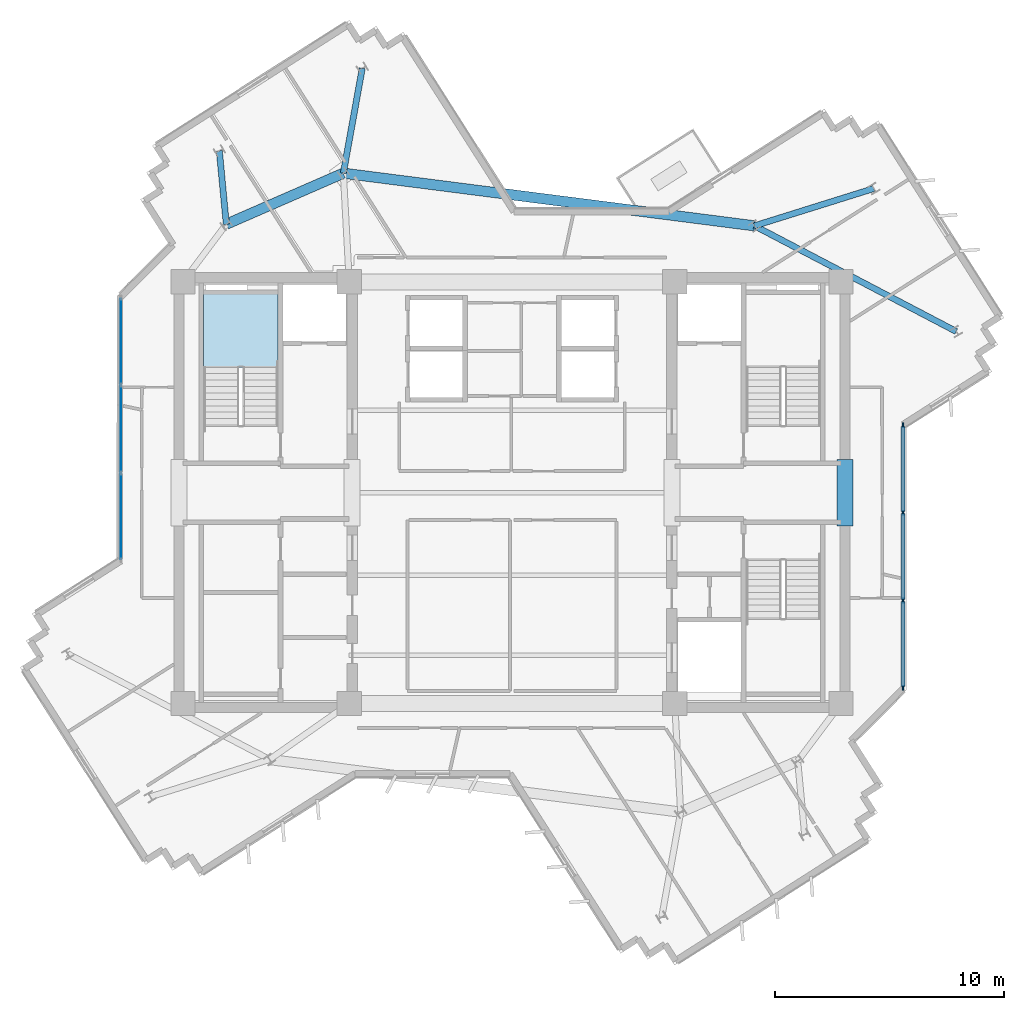
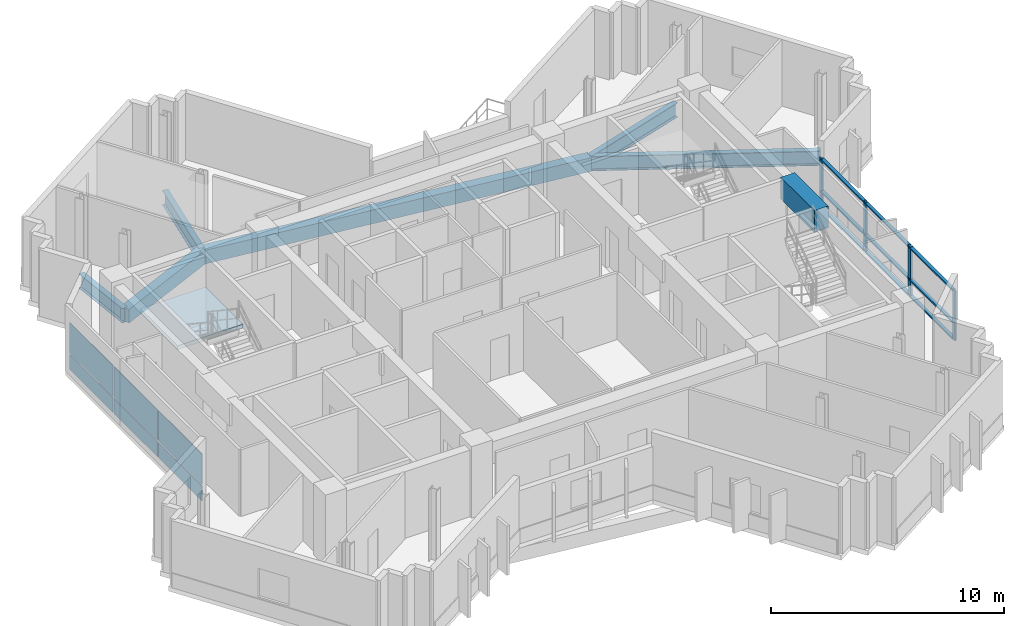
# One storey, part 3 of 12: 13 members, 7 beams, 6 plates, 1 slab, 3 elements without a shape of their own.
"""IFC4 building model written with IfcOpenShell, lengths in metres."""

from ifc_helpers import new_model, si_unit, direction, frame, origin, origin_2d, place, context, subcontext, project, spatial, polyline, rectangle, i_section, outline, extrude, source, transform, mapped, material, layer, layer_set, material_profile, profile_set, type_object, element, aggregate, save


model = new_model("IFC4")

# Units and contexts
model_context = context("Model", 3, precision=1e-05, world=origin(), true_north=direction((0.0, 1.0)))
body_context = subcontext(model_context, "Body", "Model", "MODEL_VIEW")
ifc_project = project(units=[si_unit("LENGTHUNIT", "METRE"), si_unit("AREAUNIT", "SQUARE_METRE"), si_unit("VOLUMEUNIT", "CUBIC_METRE"), si_unit("PLANEANGLEUNIT", "RADIAN"), si_unit("MASSUNIT", "GRAM", prefix="KILO")], contexts=[model_context])

# Site, building, storey
site_placement = place(None, origin())
site = spatial("IfcSite", under=ifc_project, at=site_placement, CompositionType="ELEMENT")
building_placement = place(site_placement, origin())
building = spatial("IfcBuilding", under=site, at=building_placement, Name="Zahravan Cultural Tower", CompositionType="ELEMENT")
storey_placement = place(building_placement, frame((0.0, 0.0, 265.35009765625)))
storey = spatial("IfcBuildingStorey", under=building, at=storey_placement, Name="L63", CompositionType="ELEMENT", Elevation=265.35009765625)

# Beams
ifc_material_1 = material(Name="Concrete C50/60", Category="concrete")
ifc_material_profile_1 = material_profile(ifc_material_1, rectangle(XDim=0.699951171875, YDim=1.14990234375, at=origin_2d()), Name="RC700X1150")
ifc_profile_set_1 = profile_set([ifc_material_profile_1], Name="Concrete C50/60")
beam_type_1 = type_object("IfcBeamType", Name="BM-LN-RC700X1150", PredefinedType="LINTEL", material=ifc_profile_set_1)
shared_shape_1 = source(origin(), body_context, "Body", "SweptSolid", [
    extrude(rectangle(XDim=0.699951171875, YDim=1.14990234375, at=origin_2d()), origin(), (0.0, 0.0, 1.0), 2.89990234375),
])
beam_1_placement = place(storey_placement, frame((50.52490234375, 25.550048828125, 2.9248046875), z_axis=(0.0, 1.0, 0.0), x_axis=(-1.0, 0.0, 0.0)))
element("IfcBeam", 1, at=beam_1_placement, inside=storey, type_object=beam_type_1, Name="L63 Beam LN-L63-PEE", PredefinedType="LINTEL", context=body_context, shape_type="MappedRepresentation", body=[
    mapped(shared_shape_1, transform((0.0, 0.0, 0.0), x_axis=(1.0, 0.0, 0.0), y_axis=(0.0, 1.0, 0.0), z_axis=(0.0, 0.0, 1.0), scale=1.0)),
])
ifc_material_2 = material(Name="Steel ASTM A992 Grade 50", Category="steel")
ifc_material_profile_2 = material_profile(ifc_material_2, i_section(OverallWidth=0.26708984375, OverallDepth=0.761962890625, WebThickness=0.014404296875, FlangeThickness=0.021484375, FilletRadius=0.01904296875, at=origin_2d()), Name="W30X116")
ifc_profile_set_2 = profile_set([ifc_material_profile_2], Name="Steel ASTM A992 Grade 50")
beam_type_2 = type_object("IfcBeamType", Name="BM-G-W30X116", PredefinedType="BEAM", material=ifc_profile_set_2)
shared_shape_2 = source(origin(), body_context, "Body", "SweptSolid", [
    extrude(i_section(OverallWidth=0.26708984375, OverallDepth=0.761962890625, WebThickness=0.014404296875, FlangeThickness=0.021484375, FilletRadius=0.01904296875, at=origin_2d()), origin(), (0.0, 0.0, 1.0), 9.935791015625),
])
beam_2_placement = place(storey_placement, frame((46.577880859375, 38.640625, -0.631103515625), z_axis=(0.885932031042, -0.463815088558, 0.0), x_axis=(0.463815088558, 0.885932031042, 0.0)))
element("IfcBeam", 2, at=beam_2_placement, inside=storey, type_object=beam_type_2, Name="L63 Beam BG-L63-12", PredefinedType="BEAM", context=body_context, shape_type="MappedRepresentation", body=[
    mapped(shared_shape_2, transform((0.0, 0.0, 0.0), x_axis=(1.0, 0.0, 0.0), y_axis=(0.0, 1.0, 0.0), z_axis=(0.0, 0.0, 1.0), scale=1.0)),
])
shared_shape_3 = source(origin(), body_context, "Body", "SweptSolid", [
    extrude(i_section(OverallWidth=0.26708984375, OverallDepth=0.761962890625, WebThickness=0.014404296875, FlangeThickness=0.021484375, FilletRadius=0.01904296875, at=origin_2d()), origin(), (0.0, 0.0, 1.0), 5.450927734375),
])
beam_3_placement = place(storey_placement, frame((46.577880859375, 38.640625, -0.631103515625), z_axis=(0.954416996605, 0.298476459025, 0.0), x_axis=(-0.298476459025, 0.954416996605, 0.0)))
element("IfcBeam", 3, at=beam_3_placement, inside=storey, type_object=beam_type_2, Name="L63 Beam BG-L63-13", PredefinedType="BEAM", context=body_context, shape_type="MappedRepresentation", body=[
    mapped(shared_shape_3, transform((0.0, 0.0, 0.0), x_axis=(1.0, 0.0, 0.0), y_axis=(0.0, 1.0, 0.0), z_axis=(0.0, 0.0, 1.0), scale=1.0)),
])
shared_shape_4 = source(origin(), body_context, "Body", "SweptSolid", [
    extrude(i_section(OverallWidth=0.26708984375, OverallDepth=0.761962890625, WebThickness=0.014404296875, FlangeThickness=0.021484375, FilletRadius=0.01904296875, at=origin_2d()), origin(), (0.0, 0.0, 1.0), 4.65087890625),
])
beam_4_placement = place(storey_placement, frame((28.642578125, 40.937255859375, -0.631103515625), z_axis=(0.177425522697, 0.984134230629, 0.0), x_axis=(-0.984134230629, 0.177425522697, 0.0)))
element("IfcBeam", 4, at=beam_4_placement, inside=storey, type_object=beam_type_2, Name="L63 Beam BG-L63-14", PredefinedType="BEAM", context=body_context, shape_type="MappedRepresentation", body=[
    mapped(shared_shape_4, transform((0.0, 0.0, 0.0), x_axis=(1.0, 0.0, 0.0), y_axis=(0.0, 1.0, 0.0), z_axis=(0.0, 0.0, 1.0), scale=1.0)),
])
shared_shape_5 = source(origin(), body_context, "Body", "SweptSolid", [
    extrude(i_section(OverallWidth=0.26708984375, OverallDepth=0.761962890625, WebThickness=0.014404296875, FlangeThickness=0.021484375, FilletRadius=0.01904296875, at=origin_2d()), origin(), (0.0, 0.0, 1.0), 3.218017578125),
])
beam_5_placement = place(storey_placement, frame((23.536376953125, 38.710693359375, -0.631103515625), z_axis=(-0.094454641962, 0.995529166128, 0.0), x_axis=(-0.995529166128, -0.094454641962, 0.0)))
element("IfcBeam", 5, at=beam_5_placement, inside=storey, type_object=beam_type_2, Name="L63 Beam BG-L63-15", PredefinedType="BEAM", context=body_context, shape_type="MappedRepresentation", body=[
    mapped(shared_shape_5, transform((0.0, 0.0, 0.0), x_axis=(1.0, 0.0, 0.0), y_axis=(0.0, 1.0, 0.0), z_axis=(0.0, 0.0, 1.0), scale=1.0)),
])
ifc_material_3 = material(Name="Concrete C45/55", Category="concrete")
ifc_material_profile_3 = material_profile(ifc_material_3, rectangle(XDim=0.449951171875, YDim=0.719970703125, at=origin_2d()), Name="RC450X720")
ifc_profile_set_3 = profile_set([ifc_material_profile_3], Name="Concrete C45/55")
beam_type_3 = type_object("IfcBeamType", Name="BM-SP-RC450X720", PredefinedType="SPANDREL", material=ifc_profile_set_3)
shared_shape_6 = source(origin(), body_context, "Body", "SweptSolid", [
    extrude(rectangle(XDim=0.449951171875, YDim=0.719970703125, at=origin_2d()), origin(), (0.0, 0.0, 1.0), 18.081787109375),
])
beam_6_placement = place(storey_placement, frame((46.577880859375, 38.640625, -0.610107421875), z_axis=(-0.991900954377, 0.127013765812, 0.0), x_axis=(-0.127013765812, -0.991900954377, 0.0)))
element("IfcBeam", 6, at=beam_6_placement, inside=storey, type_object=beam_type_3, Name="L63 Beam SP-L63-22", PredefinedType="SPANDREL", context=body_context, shape_type="MappedRepresentation", body=[
    mapped(shared_shape_6, transform((0.0, 0.0, 0.0), x_axis=(1.0, 0.0, 0.0), y_axis=(0.0, 1.0, 0.0), z_axis=(0.0, 0.0, 1.0), scale=1.0)),
])
shared_shape_7 = source(origin(), body_context, "Body", "SweptSolid", [
    extrude(rectangle(XDim=0.449951171875, YDim=0.719970703125, at=origin_2d()), origin(), (0.0, 0.0, 1.0), 5.570556640625),
])
beam_7_placement = place(storey_placement, frame((28.642578125, 40.937255859375, -0.610107421875), z_axis=(-0.9166445026, -0.399703459896, 0.0), x_axis=(0.399703459896, -0.9166445026, 0.0)))
element("IfcBeam", 7, at=beam_7_placement, inside=storey, type_object=beam_type_3, Name="L63 Beam SP-L63-23", PredefinedType="SPANDREL", context=body_context, shape_type="MappedRepresentation", body=[
    mapped(shared_shape_7, transform((0.0, 0.0, 0.0), x_axis=(1.0, 0.0, 0.0), y_axis=(0.0, 1.0, 0.0), z_axis=(0.0, 0.0, 1.0), scale=1.0)),
])

# Curtain wall, members
ifc_material_4 = material(Name="Anodised bronze-aluminium mullion", Category="aluminium")
ifc_layer_1 = layer(ifc_material_4, 0.219970703125)
ifc_layer_set_1 = layer_set([ifc_layer_1], Name="Anodised bronze-aluminium mullion")
curtain_wall_type_1 = type_object("IfcCurtainWallType", Name="CW-SYS-1", PredefinedType="USERDEFINED", material=ifc_layer_set_1)
curtain_wall_1_placement = place(storey_placement, origin())
curtain_wall_1 = element("IfcCurtainWall", 8, at=curtain_wall_1_placement, inside=storey, type_object=curtain_wall_type_1, Name="L63 Recessed Curtain Wall CW-1.1", ObjectType="RECESSED GLAZING", PredefinedType="USERDEFINED")
ifc_material_profile_4 = material_profile(ifc_material_4, rectangle(XDim=0.080078125, YDim=0.219970703125, at=origin_2d()), Name="AL-M80X220")
ifc_profile_set_4 = profile_set([ifc_material_profile_4], Name="Anodised bronze-aluminium mullion")
member_type_1 = type_object("IfcMemberType", Name="CWM-CW-1", PredefinedType="MULLION", material=ifc_profile_set_4)
shared_shape_8 = source(origin(), body_context, "Body", "SweptSolid", [
    extrude(rectangle(XDim=0.080078125, YDim=0.219970703125, at=origin_2d()), origin(), (0.0, 0.0, 1.0), 2.619873046875),
])
member_1_placement = place(storey_placement, frame((53.06005859375, 29.931640625, 0.0), z_axis=(0.0, 0.0, 1.0), x_axis=(1.0, 0.0, 0.0)))
member_1 = element("IfcMember", 9, at=member_1_placement, type_object=member_type_1, Name="CW-1 mullion 1", PredefinedType="MULLION", context=body_context, shape_type="MappedRepresentation", body=[
    mapped(shared_shape_8, transform((0.0, 0.0, 0.0), x_axis=(1.0, 0.0, 0.0), y_axis=(0.0, 1.0, 0.0), z_axis=(0.0, 0.0, 1.0), scale=1.0)),
])
member_2_placement = place(storey_placement, frame((53.06005859375, 26.1337890625, 0.0), z_axis=(0.0, 0.0, 1.0), x_axis=(1.0, 0.0, 0.0)))
member_2 = element("IfcMember", 10, at=member_2_placement, type_object=member_type_1, Name="CW-1 mullion 2", PredefinedType="MULLION", context=body_context, shape_type="MappedRepresentation", body=[
    mapped(shared_shape_8, transform((0.0, 0.0, 0.0), x_axis=(1.0, 0.0, 0.0), y_axis=(0.0, 1.0, 0.0), z_axis=(0.0, 0.0, 1.0), scale=1.0)),
])
member_3_placement = place(storey_placement, frame((53.06005859375, 22.2958984375, 0.0), z_axis=(0.0, 0.0, 1.0), x_axis=(1.0, 0.0, 0.0)))
member_3 = element("IfcMember", 11, at=member_3_placement, type_object=member_type_1, Name="CW-1 mullion 3", PredefinedType="MULLION", context=body_context, shape_type="MappedRepresentation", body=[
    mapped(shared_shape_8, transform((0.0, 0.0, 0.0), x_axis=(1.0, 0.0, 0.0), y_axis=(0.0, 1.0, 0.0), z_axis=(0.0, 0.0, 1.0), scale=1.0)),
])
member_4_placement = place(storey_placement, frame((53.06005859375, 18.498046875, 0.0), z_axis=(0.0, 0.0, 1.0), x_axis=(1.0, 0.0, 0.0)))
member_4 = element("IfcMember", 12, at=member_4_placement, type_object=member_type_1, Name="CW-1 mullion 4", PredefinedType="MULLION", context=body_context, shape_type="MappedRepresentation", body=[
    mapped(shared_shape_8, transform((0.0, 0.0, 0.0), x_axis=(1.0, 0.0, 0.0), y_axis=(0.0, 1.0, 0.0), z_axis=(0.0, 0.0, 1.0), scale=1.0)),
])
ifc_material_profile_5 = material_profile(ifc_material_4, rectangle(XDim=0.159912109375, YDim=0.080078125, at=origin_2d()), Name="AL-T80X160")
ifc_profile_set_5 = profile_set([ifc_material_profile_5], Name="Anodised bronze-aluminium mullion")
member_type_2 = type_object("IfcMemberType", Name="CWT-CW-1", PredefinedType="USERDEFINED", material=ifc_profile_set_5)
shared_shape_9 = source(origin(), body_context, "Body", "SweptSolid", [
    extrude(rectangle(XDim=0.159912109375, YDim=0.080078125, at=origin_2d()), origin(), (0.0, 0.0, 1.0), 3.7177734375),
])
member_5_placement = place(storey_placement, frame((53.06005859375, 29.8916015625, 0.039794921875), z_axis=(0.0, -1.0, 0.0), x_axis=(1.0, 0.0, 0.0)))
member_5 = element("IfcMember", 13, at=member_5_placement, type_object=member_type_2, Name="CW-1 transom 1.1", ObjectType="TRANSOM", PredefinedType="USERDEFINED", context=body_context, shape_type="MappedRepresentation", body=[
    mapped(shared_shape_9, transform((0.0, 0.0, 0.0), x_axis=(1.0, 0.0, 0.0), y_axis=(0.0, 1.0, 0.0), z_axis=(0.0, 0.0, 1.0), scale=1.0)),
])
member_6_placement = place(storey_placement, frame((53.06005859375, 29.8916015625, 0.89990234375), z_axis=(0.0, -1.0, 0.0), x_axis=(1.0, 0.0, 0.0)))
member_6 = element("IfcMember", 14, at=member_6_placement, type_object=member_type_2, Name="CW-1 transom 1.2", ObjectType="TRANSOM", PredefinedType="USERDEFINED", context=body_context, shape_type="MappedRepresentation", body=[
    mapped(shared_shape_9, transform((0.0, 0.0, 0.0), x_axis=(1.0, 0.0, 0.0), y_axis=(0.0, 1.0, 0.0), z_axis=(0.0, 0.0, 1.0), scale=1.0)),
])
member_7_placement = place(storey_placement, frame((53.06005859375, 29.8916015625, 2.579833984375), z_axis=(0.0, -1.0, 0.0), x_axis=(1.0, 0.0, 0.0)))
member_7 = element("IfcMember", 15, at=member_7_placement, type_object=member_type_2, Name="CW-1 transom 1.3", ObjectType="TRANSOM", PredefinedType="USERDEFINED", context=body_context, shape_type="MappedRepresentation", body=[
    mapped(shared_shape_9, transform((0.0, 0.0, 0.0), x_axis=(1.0, 0.0, 0.0), y_axis=(0.0, 1.0, 0.0), z_axis=(0.0, 0.0, 1.0), scale=1.0)),
])
member_8_placement = place(storey_placement, frame((53.06005859375, 22.255859375, 0.039794921875), z_axis=(0.0, -1.0, 0.0), x_axis=(1.0, 0.0, 0.0)))
member_8 = element("IfcMember", 16, at=member_8_placement, type_object=member_type_2, Name="CW-1 transom 3.1", ObjectType="TRANSOM", PredefinedType="USERDEFINED", context=body_context, shape_type="MappedRepresentation", body=[
    mapped(shared_shape_9, transform((0.0, 0.0, 0.0), x_axis=(1.0, 0.0, 0.0), y_axis=(0.0, 1.0, 0.0), z_axis=(0.0, 0.0, 1.0), scale=1.0)),
])
member_9_placement = place(storey_placement, frame((53.06005859375, 22.255859375, 0.89990234375), z_axis=(0.0, -1.0, 0.0), x_axis=(1.0, 0.0, 0.0)))
member_9 = element("IfcMember", 17, at=member_9_placement, type_object=member_type_2, Name="CW-1 transom 3.2", ObjectType="TRANSOM", PredefinedType="USERDEFINED", context=body_context, shape_type="MappedRepresentation", body=[
    mapped(shared_shape_9, transform((0.0, 0.0, 0.0), x_axis=(1.0, 0.0, 0.0), y_axis=(0.0, 1.0, 0.0), z_axis=(0.0, 0.0, 1.0), scale=1.0)),
])
member_10_placement = place(storey_placement, frame((53.06005859375, 22.255859375, 2.579833984375), z_axis=(0.0, -1.0, 0.0), x_axis=(1.0, 0.0, 0.0)))
member_10 = element("IfcMember", 18, at=member_10_placement, type_object=member_type_2, Name="CW-1 transom 3.3", ObjectType="TRANSOM", PredefinedType="USERDEFINED", context=body_context, shape_type="MappedRepresentation", body=[
    mapped(shared_shape_9, transform((0.0, 0.0, 0.0), x_axis=(1.0, 0.0, 0.0), y_axis=(0.0, 1.0, 0.0), z_axis=(0.0, 0.0, 1.0), scale=1.0)),
])
shared_shape_10 = source(origin(), body_context, "Body", "SweptSolid", [
    extrude(rectangle(XDim=0.159912109375, YDim=0.080078125, at=origin_2d()), origin(), (0.0, 0.0, 1.0), 3.7578125),
])
member_11_placement = place(storey_placement, frame((53.06005859375, 26.09375, 0.039794921875), z_axis=(0.0, -1.0, 0.0), x_axis=(1.0, 0.0, 0.0)))
member_11 = element("IfcMember", 19, at=member_11_placement, type_object=member_type_2, Name="CW-1 transom 2.1", ObjectType="TRANSOM", PredefinedType="USERDEFINED", context=body_context, shape_type="MappedRepresentation", body=[
    mapped(shared_shape_10, transform((0.0, 0.0, 0.0), x_axis=(1.0, 0.0, 0.0), y_axis=(0.0, 1.0, 0.0), z_axis=(0.0, 0.0, 1.0), scale=1.0)),
])
member_12_placement = place(storey_placement, frame((53.06005859375, 26.09375, 0.89990234375), z_axis=(0.0, -1.0, 0.0), x_axis=(1.0, 0.0, 0.0)))
member_12 = element("IfcMember", 20, at=member_12_placement, type_object=member_type_2, Name="CW-1 transom 2.2", ObjectType="TRANSOM", PredefinedType="USERDEFINED", context=body_context, shape_type="MappedRepresentation", body=[
    mapped(shared_shape_10, transform((0.0, 0.0, 0.0), x_axis=(1.0, 0.0, 0.0), y_axis=(0.0, 1.0, 0.0), z_axis=(0.0, 0.0, 1.0), scale=1.0)),
])
member_13_placement = place(storey_placement, frame((53.06005859375, 26.09375, 2.579833984375), z_axis=(0.0, -1.0, 0.0), x_axis=(1.0, 0.0, 0.0)))
member_13 = element("IfcMember", 21, at=member_13_placement, type_object=member_type_2, Name="CW-1 transom 2.3", ObjectType="TRANSOM", PredefinedType="USERDEFINED", context=body_context, shape_type="MappedRepresentation", body=[
    mapped(shared_shape_10, transform((0.0, 0.0, 0.0), x_axis=(1.0, 0.0, 0.0), y_axis=(0.0, 1.0, 0.0), z_axis=(0.0, 0.0, 1.0), scale=1.0)),
])
aggregate(curtain_wall_1, [member_1, member_2, member_3, member_4, member_5, member_6, member_7, member_11, member_12, member_13, member_8, member_9, member_10])

# Stair, slab
stair_type = type_object("IfcStairType", Name="STR-DL-1550-375", PredefinedType="HALF_TURN_STAIR", material=ifc_material_3)
stair_placement = place(storey_placement, origin())
stair = element("IfcStair", 22, at=stair_placement, inside=storey, type_object=stair_type, Name="L63 West Core North Exit Stair ST-W1", PredefinedType="HALF_TURN_STAIR")
ifc_layer_2 = layer(ifc_material_3, 0.199951171875)
ifc_layer_set_2 = layer_set([ifc_layer_2], Name="Concrete C45/55")
slab_type = type_object("IfcSlabType", Name="SL-STAIR-LND200", PredefinedType="LANDING", material=ifc_layer_set_2)
slab_placement = place(storey_placement, frame((0.0, 0.0, 1.6748046875)))
slab = element("IfcSlab", 23, at=slab_placement, type_object=slab_type, Name="ST-W1 landing 1", PredefinedType="LANDING", context=body_context, shape_type="SweptSolid", body=[
    extrude(outline(polyline([(25.800048828125, 32.469970703125), (25.800048828125, 35.699951171875), (22.550048828125, 35.699951171875), (22.550048828125, 32.469970703125), (25.800048828125, 32.469970703125)])), origin(), (0.0, 0.0, 1.0), 0.2001953125),
])
aggregate(stair, [slab])

# Curtain wall, plates
ifc_layer_3 = layer(ifc_material_4, 0.199951171875)
ifc_layer_set_3 = layer_set([ifc_layer_3], Name="Anodised bronze-aluminium mullion")
curtain_wall_type_2 = type_object("IfcCurtainWallType", Name="CW-SYS-2", PredefinedType="USERDEFINED", material=ifc_layer_set_3)
curtain_wall_2_placement = place(storey_placement, origin())
curtain_wall_2 = element("IfcCurtainWall", 24, at=curtain_wall_2_placement, inside=storey, type_object=curtain_wall_type_2, Name="L63 Recessed Curtain Wall CW-2.2", ObjectType="RECESSED GLAZING", PredefinedType="USERDEFINED")
ifc_material_5 = material(Name="Low-E solar-control double glazing", Category="glass")
ifc_layer_4 = layer(ifc_material_5, 0.030029296875)
ifc_layer_set_4 = layer_set([ifc_layer_4], Name="Low-E solar-control double glazing")
plate_type = type_object("IfcPlateType", Name="CWP-CW-2", PredefinedType="CURTAIN_PANEL", material=ifc_layer_set_4)
shared_shape_11 = source(origin(), body_context, "Body", "SweptSolid", [
    extrude(rectangle(XDim=3.725341796875, YDim=0.030029296875, at=origin_2d()), origin(), (0.0, 0.0, 1.0), 0.78759765625),
])
plate_1_placement = place(storey_placement, frame((18.93994140625, 25.966064453125, 0.074951171875), z_axis=(0.0, 0.0, 1.0), x_axis=(0.0, 1.0, 0.0)))
plate_1 = element("IfcPlate", 25, at=plate_1_placement, type_object=plate_type, Name="CW-2 panel 1.1", PredefinedType="CURTAIN_PANEL", context=body_context, shape_type="MappedRepresentation", body=[
    mapped(shared_shape_11, transform((0.0, 0.0, 0.0), x_axis=(1.0, 0.0, 0.0), y_axis=(0.0, 1.0, 0.0), z_axis=(0.0, 0.0, 1.0), scale=1.0)),
])
plate_2_placement = place(storey_placement, frame((18.93994140625, 33.604248046875, 0.074951171875), z_axis=(0.0, 0.0, 1.0), x_axis=(0.0, 1.0, 0.0)))
plate_2 = element("IfcPlate", 26, at=plate_2_placement, type_object=plate_type, Name="CW-2 panel 3.1", PredefinedType="CURTAIN_PANEL", context=body_context, shape_type="MappedRepresentation", body=[
    mapped(shared_shape_11, transform((0.0, 0.0, 0.0), x_axis=(1.0, 0.0, 0.0), y_axis=(0.0, 1.0, 0.0), z_axis=(0.0, 0.0, 1.0), scale=1.0)),
])
shared_shape_12 = source(origin(), body_context, "Body", "SweptSolid", [
    extrude(rectangle(XDim=3.725341796875, YDim=0.030029296875, at=origin_2d()), origin(), (0.0, 0.0, 1.0), 1.607421875),
])
plate_3_placement = place(storey_placement, frame((18.93994140625, 25.966064453125, 0.9375), z_axis=(0.0, 0.0, 1.0), x_axis=(0.0, 1.0, 0.0)))
plate_3 = element("IfcPlate", 27, at=plate_3_placement, type_object=plate_type, Name="CW-2 panel 1.2", PredefinedType="CURTAIN_PANEL", context=body_context, shape_type="MappedRepresentation", body=[
    mapped(shared_shape_12, transform((0.0, 0.0, 0.0), x_axis=(1.0, 0.0, 0.0), y_axis=(0.0, 1.0, 0.0), z_axis=(0.0, 0.0, 1.0), scale=1.0)),
])
plate_4_placement = place(storey_placement, frame((18.93994140625, 33.604248046875, 0.9375), z_axis=(0.0, 0.0, 1.0), x_axis=(0.0, 1.0, 0.0)))
plate_4 = element("IfcPlate", 28, at=plate_4_placement, type_object=plate_type, Name="CW-2 panel 3.2", PredefinedType="CURTAIN_PANEL", context=body_context, shape_type="MappedRepresentation", body=[
    mapped(shared_shape_12, transform((0.0, 0.0, 0.0), x_axis=(1.0, 0.0, 0.0), y_axis=(0.0, 1.0, 0.0), z_axis=(0.0, 0.0, 1.0), scale=1.0)),
])
shared_shape_13 = source(origin(), body_context, "Body", "SweptSolid", [
    extrude(rectangle(XDim=3.762939453125, YDim=0.030029296875, at=origin_2d()), origin(), (0.0, 0.0, 1.0), 0.78759765625),
])
plate_5_placement = place(storey_placement, frame((18.93994140625, 29.78515625, 0.074951171875), z_axis=(0.0, 0.0, 1.0), x_axis=(0.0, 1.0, 0.0)))
plate_5 = element("IfcPlate", 29, at=plate_5_placement, type_object=plate_type, Name="CW-2 panel 2.1", PredefinedType="CURTAIN_PANEL", context=body_context, shape_type="MappedRepresentation", body=[
    mapped(shared_shape_13, transform((0.0, 0.0, 0.0), x_axis=(1.0, 0.0, 0.0), y_axis=(0.0, 1.0, 0.0), z_axis=(0.0, 0.0, 1.0), scale=1.0)),
])
shared_shape_14 = source(origin(), body_context, "Body", "SweptSolid", [
    extrude(rectangle(XDim=3.762939453125, YDim=0.030029296875, at=origin_2d()), origin(), (0.0, 0.0, 1.0), 1.607421875),
])
plate_6_placement = place(storey_placement, frame((18.93994140625, 29.78515625, 0.9375), z_axis=(0.0, 0.0, 1.0), x_axis=(0.0, 1.0, 0.0)))
plate_6 = element("IfcPlate", 30, at=plate_6_placement, type_object=plate_type, Name="CW-2 panel 2.2", PredefinedType="CURTAIN_PANEL", context=body_context, shape_type="MappedRepresentation", body=[
    mapped(shared_shape_14, transform((0.0, 0.0, 0.0), x_axis=(1.0, 0.0, 0.0), y_axis=(0.0, 1.0, 0.0), z_axis=(0.0, 0.0, 1.0), scale=1.0)),
])
aggregate(curtain_wall_2, [plate_1, plate_3, plate_5, plate_6, plate_2, plate_4])

save(model, "model.ifc")
